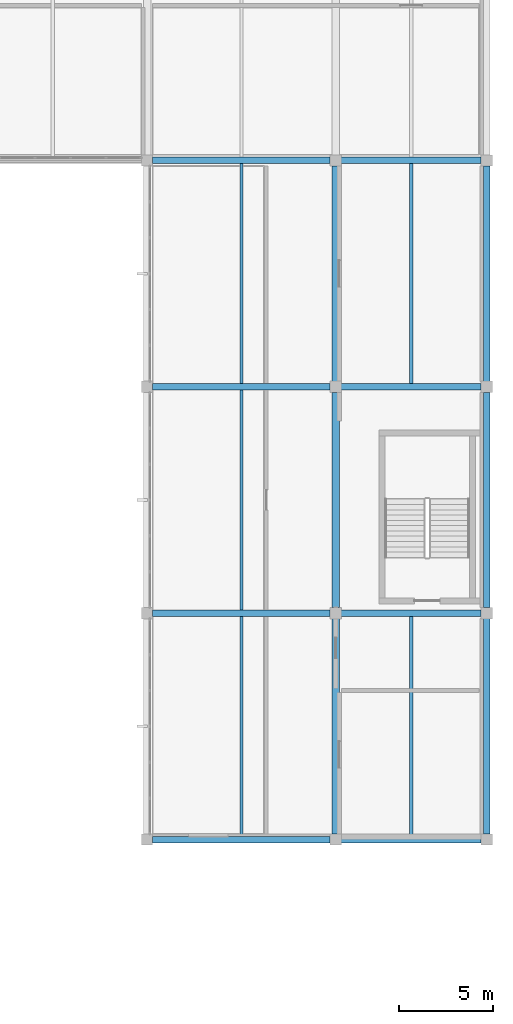
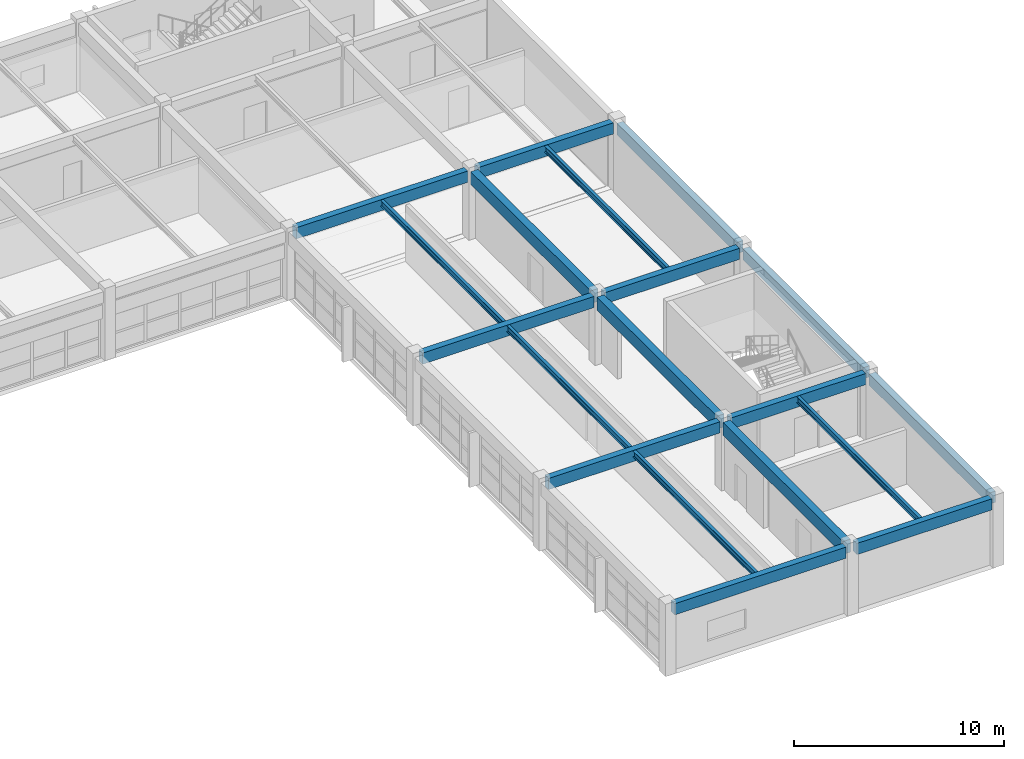
# One storey, part 12 of 28: 19 beams.
"""IFC4 building model written with IfcOpenShell, lengths in metres."""

from ifc_helpers import new_model, si_unit, direction, frame, origin, origin_2d, place, context, subcontext, project, spatial, rectangle, i_section, extrude, material, material_profile, profile_set, type_object, element, save


model = new_model("IFC4")

# Units and contexts
model_context = context("Model", 3, precision=1e-05, world=origin(), true_north=direction((0.0, 1.0)))
body_context = subcontext(model_context, "Body", "Model", "MODEL_VIEW")
ifc_project = project(units=[si_unit("LENGTHUNIT", "METRE"), si_unit("AREAUNIT", "SQUARE_METRE"), si_unit("VOLUMEUNIT", "CUBIC_METRE"), si_unit("PLANEANGLEUNIT", "RADIAN"), si_unit("MASSUNIT", "GRAM", prefix="KILO")], contexts=[model_context])

# Site, building, storey
site_placement = place(None, origin())
site = spatial("IfcSite", under=ifc_project, at=site_placement, CompositionType="ELEMENT")
building_placement = place(site_placement, origin())
building = spatial("IfcBuilding", under=site, at=building_placement, Name="Kivolera Central Railway Station", CompositionType="ELEMENT")
storey_placement = place(building_placement, frame((0.0, 0.0, 18.60009765625)))
storey = spatial("IfcBuildingStorey", under=building, at=storey_placement, Name="L04", CompositionType="ELEMENT", Elevation=18.60009765625)

# Beams
ifc_material_1 = material(Name="Steel S355", Category="steel")
ifc_material_profile_1 = material_profile(ifc_material_1, i_section(OverallWidth=0.169921875, OverallDepth=0.360107421875, WebThickness=0.008056640625, FlangeThickness=0.0126953125, FilletRadius=0.01806640625, at=origin_2d()), Name="IPE 360")
ifc_profile_set_1 = profile_set([ifc_material_profile_1], Name="Steel S355")
beam_type_1 = type_object("IfcBeamType", Name="BM-JST-IPE360", PredefinedType="JOIST", material=ifc_profile_set_1)
for number, where, z_axis, x_axis, name in (
    (1, (183.0, 78.1669921875, 3.7578125), (0.0, 1.0, 0.0), (-1.0, 0.0, 0.0), "L04 Floor Joist 18-19/G-H"),
    (2, (183.0, 90.1669921875, 3.7578125), (0.0, 1.0, 0.0), (-1.0, 0.0, 0.0), "L04 Floor Joist 18-19/H-J"),
    (3, (183.0, 102.1669921875, 3.7578125), (0.0, 1.0, 0.0), (-1.0, 0.0, 0.0), "L04 Floor Joist 18-19/J-K"),
    (4, (192.0, 78.1669921875, 3.7578125), (0.0, 1.0, 0.0), (-1.0, 0.0, 0.0), "L04 Floor Joist 19-20/G-H"),
    (5, (192.0, 102.1669921875, 3.7578125), (0.0, 1.0, 0.0), (-1.0, 0.0, 0.0), "L04 Floor Joist 19-20/J-K"),
):
    element("IfcBeam", number, at=place(storey_placement, frame(where, z_axis=z_axis, x_axis=x_axis)), inside=storey, type_object=beam_type_1, Name=name, PredefinedType="JOIST", context=body_context, shape_type="SweptSolid", body=[
        extrude(i_section(OverallWidth=0.169921875, OverallDepth=0.360107421875, WebThickness=0.008056640625, FlangeThickness=0.0126953125, FilletRadius=0.01806640625, at=origin_2d()), origin(), (0.0, 0.0, 1.0), 11.666015625),
    ])
ifc_material_2 = material(Name="Concrete C40/50", Category="concrete")
ifc_material_profile_2 = material_profile(ifc_material_2, rectangle(XDim=0.35009765625, YDim=0.64990234375, at=origin_2d()), Name="RC 350x650")
ifc_profile_set_2 = profile_set([ifc_material_profile_2], Name="Concrete C40/50")
beam_type_2 = type_object("IfcBeamType", Name="BM-RC-350x650", PredefinedType="BEAM", material=ifc_profile_set_2)
beam_1_placement = place(storey_placement, frame((178.2919921875, 78.0, 3.625), z_axis=(1.0, 0.0, 0.0), x_axis=(0.0, 1.0, 0.0)))
element("IfcBeam", 6, at=beam_1_placement, inside=storey, type_object=beam_type_2, Name="L04 Wing X-Beam G:18-19", PredefinedType="BEAM", context=body_context, shape_type="SweptSolid", body=[
    extrude(rectangle(XDim=0.35009765625, YDim=0.64990234375, at=origin_2d()), origin(), (0.0, 0.0, 1.0), 9.416015625),
])
beam_2_placement = place(storey_placement, frame((188.2919921875, 78.0, 3.625), z_axis=(1.0, 0.0, 0.0), x_axis=(0.0, 1.0, 0.0)))
element("IfcBeam", 7, at=beam_2_placement, inside=storey, type_object=beam_type_2, Name="L04 Wing X-Beam G:19-20", PredefinedType="BEAM", context=body_context, shape_type="SweptSolid", body=[
    extrude(rectangle(XDim=0.35009765625, YDim=0.64990234375, at=origin_2d()), origin(), (0.0, 0.0, 1.0), 7.416015625),
])
beam_3_placement = place(storey_placement, frame((178.2919921875, 90.0, 3.625), z_axis=(1.0, 0.0, 0.0), x_axis=(0.0, 1.0, 0.0)))
element("IfcBeam", 8, at=beam_3_placement, inside=storey, type_object=beam_type_2, Name="L04 Wing X-Beam H:18-19", PredefinedType="BEAM", context=body_context, shape_type="SweptSolid", body=[
    extrude(rectangle(XDim=0.35009765625, YDim=0.64990234375, at=origin_2d()), origin(), (0.0, 0.0, 1.0), 9.416015625),
])
beam_4_placement = place(storey_placement, frame((188.2919921875, 90.0, 3.625), z_axis=(1.0, 0.0, 0.0), x_axis=(0.0, 1.0, 0.0)))
element("IfcBeam", 9, at=beam_4_placement, inside=storey, type_object=beam_type_2, Name="L04 Wing X-Beam H:19-20", PredefinedType="BEAM", context=body_context, shape_type="SweptSolid", body=[
    extrude(rectangle(XDim=0.35009765625, YDim=0.64990234375, at=origin_2d()), origin(), (0.0, 0.0, 1.0), 7.416015625),
])
beam_5_placement = place(storey_placement, frame((178.2919921875, 102.0, 3.625), z_axis=(1.0, 0.0, 0.0), x_axis=(0.0, 1.0, 0.0)))
element("IfcBeam", 10, at=beam_5_placement, inside=storey, type_object=beam_type_2, Name="L04 Wing X-Beam J:18-19", PredefinedType="BEAM", context=body_context, shape_type="SweptSolid", body=[
    extrude(rectangle(XDim=0.35009765625, YDim=0.64990234375, at=origin_2d()), origin(), (0.0, 0.0, 1.0), 9.416015625),
])
beam_6_placement = place(storey_placement, frame((188.2919921875, 102.0, 3.625), z_axis=(1.0, 0.0, 0.0), x_axis=(0.0, 1.0, 0.0)))
element("IfcBeam", 11, at=beam_6_placement, inside=storey, type_object=beam_type_2, Name="L04 Wing X-Beam J:19-20", PredefinedType="BEAM", context=body_context, shape_type="SweptSolid", body=[
    extrude(rectangle(XDim=0.35009765625, YDim=0.64990234375, at=origin_2d()), origin(), (0.0, 0.0, 1.0), 7.416015625),
])
beam_7_placement = place(storey_placement, frame((178.2919921875, 114.0, 3.625), z_axis=(1.0, 0.0, 0.0), x_axis=(0.0, 1.0, 0.0)))
element("IfcBeam", 12, at=beam_7_placement, inside=storey, type_object=beam_type_2, Name="L04 Wing X-Beam K:18-19", PredefinedType="BEAM", context=body_context, shape_type="SweptSolid", body=[
    extrude(rectangle(XDim=0.35009765625, YDim=0.64990234375, at=origin_2d()), origin(), (0.0, 0.0, 1.0), 9.416015625),
])
beam_8_placement = place(storey_placement, frame((188.2919921875, 114.0, 3.625), z_axis=(1.0, 0.0, 0.0), x_axis=(0.0, 1.0, 0.0)))
element("IfcBeam", 13, at=beam_8_placement, inside=storey, type_object=beam_type_2, Name="L04 Wing X-Beam K:19-20", PredefinedType="BEAM", context=body_context, shape_type="SweptSolid", body=[
    extrude(rectangle(XDim=0.35009765625, YDim=0.64990234375, at=origin_2d()), origin(), (0.0, 0.0, 1.0), 7.416015625),
])
ifc_material_profile_3 = material_profile(ifc_material_2, rectangle(XDim=0.39990234375, YDim=0.75, at=origin_2d()), Name="RC 400x750")
ifc_profile_set_3 = profile_set([ifc_material_profile_3], Name="Concrete C40/50")
beam_type_3 = type_object("IfcBeamType", Name="BM-RC-400x750", PredefinedType="BEAM", material=ifc_profile_set_3)
for number, where, z_axis, x_axis, name in (
    (14, (188.0, 78.2919921875, 3.574951171875), (0.0, 1.0, 0.0), (-1.0, 0.0, 0.0), "L04 Wing Y-Beam 19:G-H"),
    (15, (188.0, 90.2919921875, 3.574951171875), (0.0, 1.0, 0.0), (-1.0, 0.0, 0.0), "L04 Wing Y-Beam 19:H-J"),
    (16, (188.0, 102.2919921875, 3.574951171875), (0.0, 1.0, 0.0), (-1.0, 0.0, 0.0), "L04 Wing Y-Beam 19:J-K"),
):
    element("IfcBeam", number, at=place(storey_placement, frame(where, z_axis=z_axis, x_axis=x_axis)), inside=storey, type_object=beam_type_3, Name=name, PredefinedType="BEAM", context=body_context, shape_type="SweptSolid", body=[
        extrude(rectangle(XDim=0.39990234375, YDim=0.75, at=origin_2d()), origin(), (0.0, 0.0, 1.0), 11.416015625),
    ])
ifc_material_profile_4 = material_profile(ifc_material_2, rectangle(XDim=0.35009765625, YDim=0.64990234375, at=origin_2d()), Name="RC 350x650")
ifc_profile_set_4 = profile_set([ifc_material_profile_4], Name="Concrete C40/50")
beam_type_4 = type_object("IfcBeamType", Name="BM-SPN-RC650", PredefinedType="SPANDREL", material=ifc_profile_set_4)
for number, where, z_axis, x_axis, name in (
    (17, (196.0, 78.2919921875, 3.625), (0.0, 1.0, 0.0), (-1.0, 0.0, 0.0), "L04 Wing Y-Beam 20:G-H"),
    (18, (196.0, 90.2919921875, 3.625), (0.0, 1.0, 0.0), (-1.0, 0.0, 0.0), "L04 Wing Y-Beam 20:H-J"),
    (19, (196.0, 102.2919921875, 3.625), (0.0, 1.0, 0.0), (-1.0, 0.0, 0.0), "L04 Wing Y-Beam 20:J-K"),
):
    element("IfcBeam", number, at=place(storey_placement, frame(where, z_axis=z_axis, x_axis=x_axis)), inside=storey, type_object=beam_type_4, Name=name, PredefinedType="SPANDREL", context=body_context, shape_type="SweptSolid", body=[
        extrude(rectangle(XDim=0.35009765625, YDim=0.64990234375, at=origin_2d()), origin(), (0.0, 0.0, 1.0), 11.416015625),
    ])

save(model, "model.ifc")
